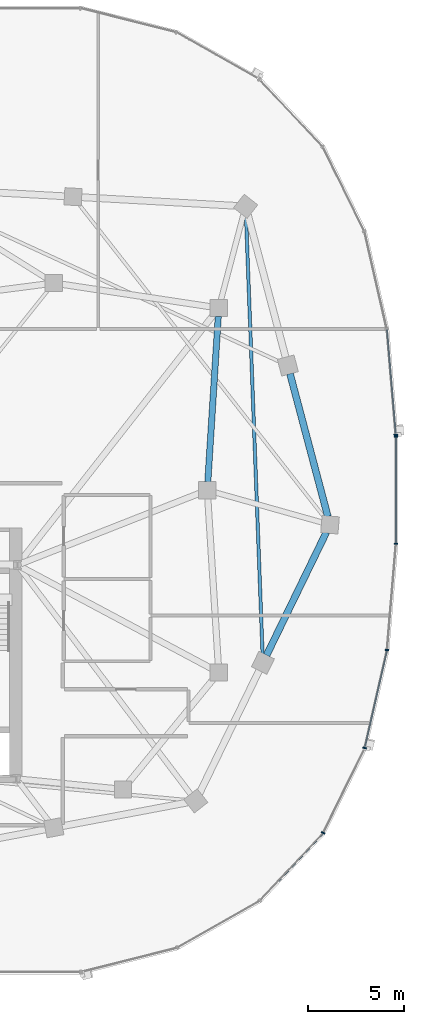
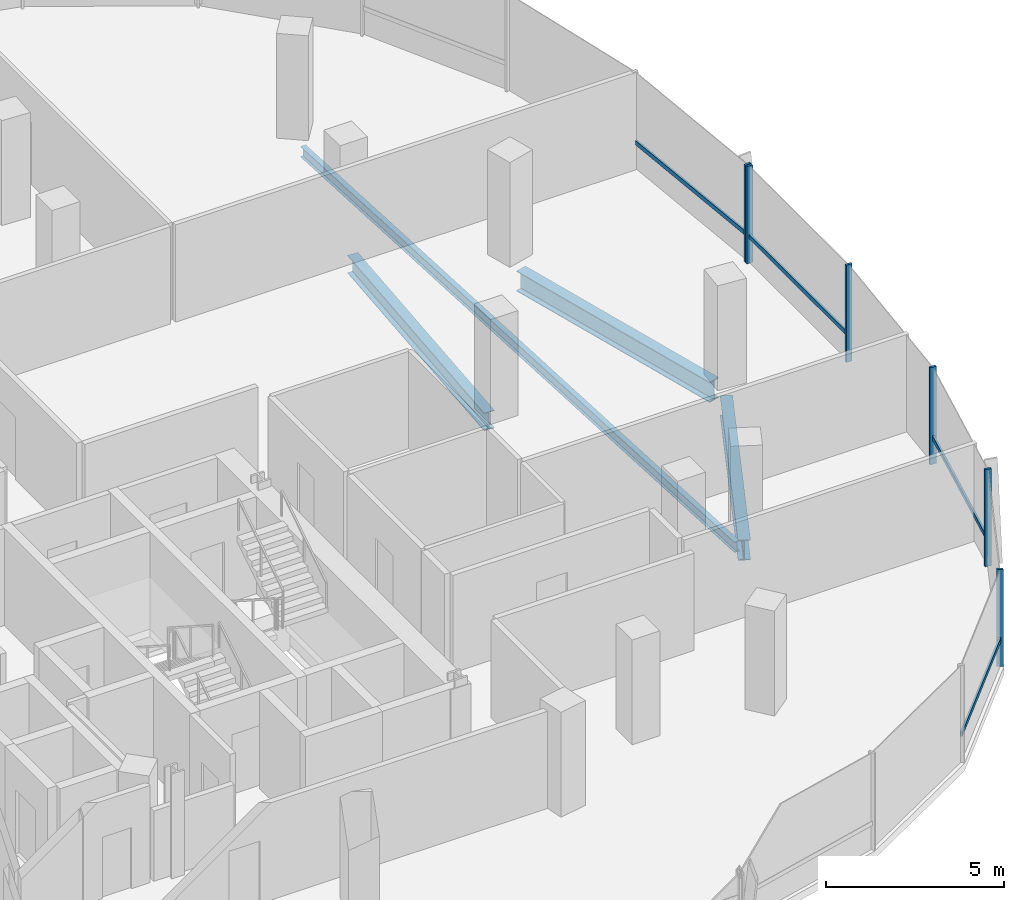
# One storey, part 10 of 25: 10 members, 4 beams, 2 elements without a shape of their own.
"""IFC4 building model written with IfcOpenShell, lengths in metres."""

from ifc_helpers import new_model, si_unit, direction, frame, origin, origin_2d, place, context, subcontext, project, spatial, rectangle, i_section, extrude, material, material_profile, profile_set, type_object, element, aggregate, save


model = new_model("IFC4")

# Units and contexts
model_context = context("Model", 3, precision=1e-05, world=origin(), true_north=direction((0.0, 1.0)))
body_context = subcontext(model_context, "Body", "Model", "MODEL_VIEW")
ifc_project = project(units=[si_unit("LENGTHUNIT", "METRE"), si_unit("AREAUNIT", "SQUARE_METRE"), si_unit("VOLUMEUNIT", "CUBIC_METRE"), si_unit("PLANEANGLEUNIT", "RADIAN"), si_unit("MASSUNIT", "GRAM", prefix="KILO"), si_unit("THERMODYNAMICTEMPERATUREUNIT", "KELVIN"), si_unit("POWERUNIT", "WATT")], contexts=[model_context])

# Site, building, storey
site_placement = place(None, origin())
site = spatial("IfcSite", under=ifc_project, at=site_placement, CompositionType="ELEMENT")
building_placement = place(site_placement, origin())
building = spatial("IfcBuilding", under=site, at=building_placement, Name="Cundina Bronze Exchange", CompositionType="ELEMENT")
storey_placement = place(building_placement, frame((0.0, 0.0, 202.60009765625)))
storey = spatial("IfcBuildingStorey", under=building, at=storey_placement, Name="L53", CompositionType="ELEMENT", Elevation=202.60009765625)

# Beams
ifc_material_1 = material(Name="Steel ASTM A992 Grade 50", Category="steel")
ifc_material_profile_1 = material_profile(ifc_material_1, i_section(OverallWidth=0.172119140625, OverallDepth=0.35791015625, WebThickness=0.0078125, FlangeThickness=0.01318359375, FilletRadius=0.010009765625, at=origin_2d()), Name="W14X38", Category="steel")
ifc_profile_set_1 = profile_set([ifc_material_profile_1], Name="Steel ASTM A992 Grade 50")
beam_type_1 = type_object("IfcBeamType", Name="BM-JST-W14", PredefinedType="JOIST", material=ifc_profile_set_1)
beam_1_placement = place(storey_placement, frame((44.08349609375, -8.562255859375, -0.439208984375), z_axis=(-0.037790216102, 0.999285694667, 0.0), x_axis=(-0.999285694667, -0.037790216102, 0.0)))
element("IfcBeam", 1, at=beam_1_placement, inside=storey, type_object=beam_type_1, Name="L53 Leg E Lobe Floor Joist 07-10", PredefinedType="JOIST", context=body_context, shape_type="SweptSolid", body=[
    extrude(i_section(OverallWidth=0.172119140625, OverallDepth=0.35791015625, WebThickness=0.0078125, FlangeThickness=0.01318359375, FilletRadius=0.010009765625, at=origin_2d()), origin(), (0.0, 0.0, 1.0), 22.94091796875),
])
ifc_material_profile_2 = material_profile(ifc_material_1, i_section(OverallWidth=0.324951171875, OverallDepth=0.615966796875, WebThickness=0.013916015625, FlangeThickness=0.021484375, FilletRadius=0.01611328125, at=origin_2d()), Name="W24X117", Category="steel")
ifc_profile_set_2 = profile_set([ifc_material_profile_2], Name="Steel ASTM A992 Grade 50")
beam_type_2 = type_object("IfcBeamType", Name="BM-RING-W24", PredefinedType="USERDEFINED", material=ifc_profile_set_2)
beam_2_placement = place(storey_placement, frame((41.2275390625, 0.43701171875, -0.568115234375), z_axis=(0.063046519736, 0.998010589297, 0.0), x_axis=(-0.998010589297, 0.063046519736, 0.0)))
element("IfcBeam", 2, at=beam_2_placement, inside=storey, type_object=beam_type_2, Name="L53 E Inner Structural Ring Girder 04", ObjectType="GIRDER", PredefinedType="USERDEFINED", context=body_context, shape_type="SweptSolid", body=[
    extrude(i_section(OverallWidth=0.324951171875, OverallDepth=0.615966796875, WebThickness=0.013916015625, FlangeThickness=0.021484375, FilletRadius=0.01611328125, at=origin_2d()), origin(), (0.0, 0.0, 1.0), 8.64306640625),
])
ifc_material_profile_3 = material_profile(ifc_material_1, i_section(OverallWidth=0.35498046875, OverallDepth=0.695068359375, WebThickness=0.015380859375, FlangeThickness=0.02490234375, FilletRadius=0.01806640625, at=origin_2d()), Name="W27X146", Category="steel")
ifc_profile_set_3 = profile_set([ifc_material_profile_3], Name="Steel ASTM A992 Grade 50")
beam_type_3 = type_object("IfcBeamType", Name="BM-RING-W27", PredefinedType="USERDEFINED", material=ifc_profile_set_3)
beam_3_placement = place(storey_placement, frame((44.29150390625, -8.606201171875, -0.607666015625), z_axis=(0.437173087764, 0.89937739094, 0.0), x_axis=(-0.89937739094, 0.437173087764, 0.0)))
element("IfcBeam", 3, at=beam_3_placement, inside=storey, type_object=beam_type_3, Name="L53 E Perimeter Ring Girder 07", ObjectType="GIRDER", PredefinedType="USERDEFINED", context=body_context, shape_type="SweptSolid", body=[
    extrude(i_section(OverallWidth=0.35498046875, OverallDepth=0.695068359375, WebThickness=0.015380859375, FlangeThickness=0.02490234375, FilletRadius=0.01806640625, at=origin_2d()), origin(), (0.0, 0.0, 1.0), 7.1298828125),
])
beam_4_placement = place(storey_placement, frame((47.48779296875, -1.376708984375, -0.607666015625), z_axis=(-0.256211934474, 0.966620631185, 0.0), x_axis=(-0.966620631185, -0.256211934474, 0.0)))
element("IfcBeam", 4, at=beam_4_placement, inside=storey, type_object=beam_type_3, Name="L53 E Perimeter Ring Girder 08", ObjectType="GIRDER", PredefinedType="USERDEFINED", context=body_context, shape_type="SweptSolid", body=[
    extrude(i_section(OverallWidth=0.35498046875, OverallDepth=0.695068359375, WebThickness=0.015380859375, FlangeThickness=0.02490234375, FilletRadius=0.01806640625, at=origin_2d()), origin(), (0.0, 0.0, 1.0), 7.710693359375),
])

# Curtain wall, member
ifc_material_2 = material(Name="Anodised Bronze Aluminium 6063-T6", Category="aluminium")
curtain_wall_type = type_object("IfcCurtainWallType", Name="CWS-UPP-OFF", PredefinedType="NOTDEFINED", material=ifc_material_2)
curtain_wall_1_placement = place(storey_placement, origin())
curtain_wall_1 = element("IfcCurtainWall", 5, at=curtain_wall_1_placement, inside=storey, type_object=curtain_wall_type, Name="L53 CW-05 Curtain Wall Run CWR-L53-E1", PredefinedType="NOTDEFINED")
ifc_material_profile_4 = material_profile(ifc_material_2, rectangle(XDim=0.070068359375, YDim=0.18994140625, at=origin_2d()), Name="AL70X190", Category="aluminium")
ifc_profile_set_4 = profile_set([ifc_material_profile_4], Name="Anodised Bronze Aluminium 6063-T6")
member_type_1 = type_object("IfcMemberType", Name="CWM-MUL-190", PredefinedType="MULLION", material=ifc_profile_set_4)
member_1_placement = place(storey_placement, frame((51.0302734375, 2.88330078125, 0.0), z_axis=(0.0, 0.0, 1.0), x_axis=(-0.083677843332, 0.99649285925, 0.0)))
member_1 = element("IfcMember", 6, at=member_1_placement, type_object=member_type_1, Name="CW-05 Mullion 1", PredefinedType="MULLION", context=body_context, shape_type="SweptSolid", body=[
    extrude(rectangle(XDim=0.070068359375, YDim=0.18994140625, at=origin_2d()), origin(), (0.0, 0.0, 1.0), 3.33984375),
])

# Curtain wall, members
curtain_wall_2_placement = place(storey_placement, origin())
curtain_wall_2 = element("IfcCurtainWall", 7, at=curtain_wall_2_placement, inside=storey, type_object=curtain_wall_type, Name="L53 CW-05 Curtain Wall Run CWR-L53-E4", PredefinedType="NOTDEFINED")
member_2_placement = place(storey_placement, frame((47.245361328125, -17.866455078125, 0.0), z_axis=(0.0, 0.0, 1.0), x_axis=(0.440566004113, 0.897720221461, 0.0)))
member_2 = element("IfcMember", 8, at=member_2_placement, type_object=member_type_1, Name="CW-05 Mullion 4", PredefinedType="MULLION", context=body_context, shape_type="SweptSolid", body=[
    extrude(rectangle(XDim=0.070068359375, YDim=0.18994140625, at=origin_2d()), origin(), (0.0, 0.0, 1.0), 3.33984375),
])
member_3_placement = place(storey_placement, frame((49.40771484375, -13.440673828125, 0.0), z_axis=(0.0, 0.0, 1.0), x_axis=(0.223250116011, 0.974761194191, 0.0)))
member_3 = element("IfcMember", 9, at=member_3_placement, type_object=member_type_1, Name="CW-05 Mullion 5", PredefinedType="MULLION", context=body_context, shape_type="SweptSolid", body=[
    extrude(rectangle(XDim=0.070068359375, YDim=0.18994140625, at=origin_2d()), origin(), (0.0, 0.0, 1.0), 3.33984375),
])
member_4_placement = place(storey_placement, frame((50.572509765625, -8.33056640625, 0.0), z_axis=(0.0, 0.0, 1.0), x_axis=(0.083677843332, 0.99649285925, 0.0)))
member_4 = element("IfcMember", 10, at=member_4_placement, type_object=member_type_1, Name="CW-05 Mullion 6", PredefinedType="MULLION", context=body_context, shape_type="SweptSolid", body=[
    extrude(rectangle(XDim=0.070068359375, YDim=0.18994140625, at=origin_2d()), origin(), (0.0, 0.0, 1.0), 3.33984375),
])
member_5_placement = place(storey_placement, frame((51.033935546875, -2.794921875, 0.0), z_axis=(0.0, 0.0, 1.0), x_axis=(0.0, 1.0, 0.0)))
member_5 = element("IfcMember", 11, at=member_5_placement, type_object=member_type_1, Name="CW-05 Mullion 7", PredefinedType="MULLION", context=body_context, shape_type="SweptSolid", body=[
    extrude(rectangle(XDim=0.070068359375, YDim=0.18994140625, at=origin_2d()), origin(), (0.0, 0.0, 1.0), 3.33984375),
])
member_6_placement = place(storey_placement, frame((51.033935546875, 2.794921875, 0.0), z_axis=(0.0, 0.0, 1.0), x_axis=(0.0, 1.0, 0.0)))
member_6 = element("IfcMember", 12, at=member_6_placement, type_object=member_type_1, Name="CW-05 End Mullion", PredefinedType="MULLION", context=body_context, shape_type="SweptSolid", body=[
    extrude(rectangle(XDim=0.070068359375, YDim=0.18994140625, at=origin_2d()), origin(), (0.0, 0.0, 1.0), 3.33984375),
])

# Member
ifc_material_profile_5 = material_profile(ifc_material_2, rectangle(XDim=0.06494140625, YDim=0.14990234375, at=origin_2d()), Name="AL65X150", Category="aluminium")
ifc_profile_set_5 = profile_set([ifc_material_profile_5], Name="Anodised Bronze Aluminium 6063-T6")
member_type_2 = type_object("IfcMemberType", Name="CWM-TRN-150", PredefinedType="USERDEFINED", material=ifc_profile_set_5)
member_7_placement = place(storey_placement, frame((51.027099609375, 2.921630859375, 0.919921875), z_axis=(-0.083740331158, 0.996487610027, 0.0), x_axis=(-0.996487610027, -0.083740331158, 0.0)))
member_7 = element("IfcMember", 13, at=member_7_placement, type_object=member_type_2, Name="CW-05 Spandrel Transom 1", ObjectType="TRANSOM", PredefinedType="USERDEFINED", context=body_context, shape_type="SweptSolid", body=[
    extrude(rectangle(XDim=0.06494140625, YDim=0.14990234375, at=origin_2d()), origin(), (0.0, 0.0, 1.0), 5.466552734375),
])

aggregate(curtain_wall_1, [member_1, member_7])

member_8_placement = place(storey_placement, frame((43.97509765625, -21.364501953125, 0.919921875), z_axis=(0.684336416554, 0.729166420633, 0.0), x_axis=(-0.729166420633, 0.684336416554, 0.0)))
member_8 = element("IfcMember", 14, at=member_8_placement, type_object=member_type_2, Name="CW-05 Spandrel Transom 3", ObjectType="TRANSOM", PredefinedType="USERDEFINED", context=body_context, shape_type="SweptSolid", body=[
    extrude(rectangle(XDim=0.06494140625, YDim=0.14990234375, at=origin_2d()), origin(), (0.0, 0.0, 1.0), 4.76513671875),
])

member_9_placement = place(storey_placement, frame((49.41650390625, -13.403076171875, 0.919921875), z_axis=(0.22328343579, 0.974753562344, 0.0), x_axis=(-0.974753562344, 0.22328343579, 0.0)))
member_9 = element("IfcMember", 15, at=member_9_placement, type_object=member_type_2, Name="CW-05 Spandrel Transom 5", ObjectType="TRANSOM", PredefinedType="USERDEFINED", context=body_context, shape_type="SweptSolid", body=[
    extrude(rectangle(XDim=0.06494140625, YDim=0.14990234375, at=origin_2d()), origin(), (0.0, 0.0, 1.0), 5.159912109375),
])

member_10_placement = place(storey_placement, frame((51.033935546875, -2.756591796875, 0.919921875), z_axis=(0.0, 1.0, 0.0), x_axis=(-1.0, 0.0, 0.0)))
member_10 = element("IfcMember", 16, at=member_10_placement, type_object=member_type_2, Name="CW-05 Spandrel Transom 7", ObjectType="TRANSOM", PredefinedType="USERDEFINED", context=body_context, shape_type="SweptSolid", body=[
    extrude(rectangle(XDim=0.06494140625, YDim=0.14990234375, at=origin_2d()), origin(), (0.0, 0.0, 1.0), 5.51318359375),
])

aggregate(curtain_wall_2, [member_8, member_2, member_3, member_9, member_4, member_5, member_6, member_10])

save(model, "model.ifc")
